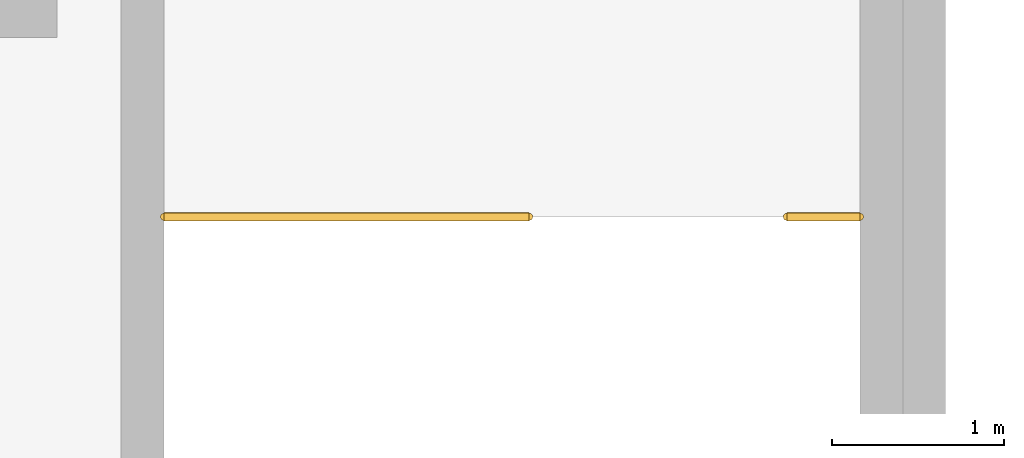
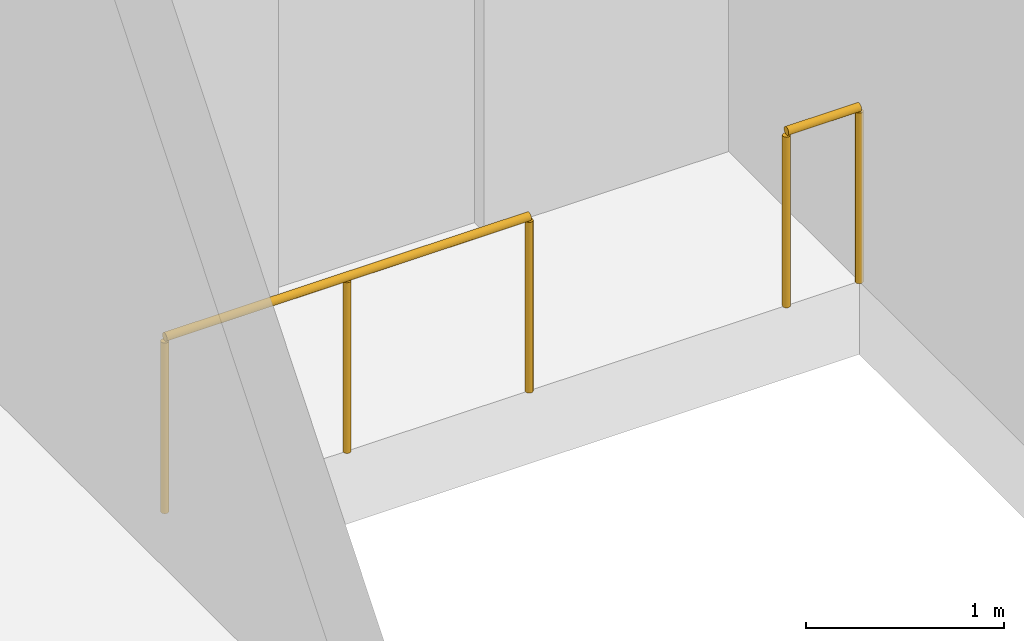
# One storey, part 41 of 45: 2 railings.
"""IFC4 building model written with IfcOpenShell, lengths in metres."""

from ifc_helpers import new_model, si_unit, direction, frame, origin, origin_2d, place, context, subcontext, project, spatial, circle, extrude, material, type_object, element, save


model = new_model("IFC4")

# Units and contexts
model_context = context("Model", 3, precision=1e-05, world=origin(), true_north=direction((0.0, 1.0)))
body_context = subcontext(model_context, "Body", "Model", "MODEL_VIEW")
ifc_project = project(units=[si_unit("LENGTHUNIT", "METRE"), si_unit("AREAUNIT", "SQUARE_METRE"), si_unit("VOLUMEUNIT", "CUBIC_METRE"), si_unit("PLANEANGLEUNIT", "RADIAN"), si_unit("MASSUNIT", "GRAM", prefix="KILO")], contexts=[model_context])

# Site, building, storey
site_placement = place(None, origin())
site = spatial("IfcSite", under=ifc_project, at=site_placement, CompositionType="ELEMENT")
building_placement = place(site_placement, origin())
building = spatial("IfcBuilding", under=site, at=building_placement, Name="Basin Gate Institute", CompositionType="ELEMENT")
storey_placement = place(building_placement, frame((0.0, 0.0, 22.199951171875)))
storey = spatial("IfcBuildingStorey", under=building, at=storey_placement, Name="L04", CompositionType="ELEMENT", Elevation=22.199951171875)

# Railings
ifc_material = material(Name="Stainless steel tube and glass infill", Category="steel")
railing_type = type_object("IfcRailingType", Name="Block railing 1100", PredefinedType="GUARDRAIL", material=ifc_material)
railing_1_placement = place(storey_placement, frame((134.52490234375, 75.85498046875, 0.0)))
element("IfcRailing", 1, at=railing_1_placement, inside=storey, type_object=railing_type, material=ifc_material, Name="Guard stairwell ST-C4 L04", PredefinedType="GUARDRAIL", context=body_context, shape_type="SweptSolid", body=[
    extrude(circle(Radius=0.02392578125, at=origin_2d()), frame((0.0, 0.0, 1.076171875), z_axis=(1.0, 0.0, 0.0), x_axis=(0.0, 1.0, 0.0)), (0.0, 0.0, 1.0), 2.125),
    extrude(circle(Radius=0.02099609375, at=origin_2d()), origin(), (0.0, 0.0, 1.0), 1.052001953125),
    extrude(circle(Radius=0.02099609375, at=origin_2d()), frame((1.0625, 0.0, 0.0)), (0.0, 0.0, 1.0), 1.052001953125),
    extrude(circle(Radius=0.02099609375, at=origin_2d()), frame((2.125, 0.0, 0.0)), (0.0, 0.0, 1.0), 1.052001953125),
])
railing_2_placement = place(storey_placement, frame((138.14990234375, 75.85498046875, 0.0)))
element("IfcRailing", 2, at=railing_2_placement, inside=storey, type_object=railing_type, material=ifc_material, Name="Guard stairwell ST-C4 L04 east", PredefinedType="GUARDRAIL", context=body_context, shape_type="SweptSolid", body=[
    extrude(circle(Radius=0.02392578125, at=origin_2d()), frame((0.0, 0.0, 1.076171875), z_axis=(1.0, 0.0, 0.0), x_axis=(0.0, 1.0, 0.0)), (0.0, 0.0, 1.0), 0.425048828125),
    extrude(circle(Radius=0.02099609375, at=origin_2d()), origin(), (0.0, 0.0, 1.0), 1.052001953125),
    extrude(circle(Radius=0.02099609375, at=origin_2d()), frame((0.425048828125, 0.0, 0.0)), (0.0, 0.0, 1.0), 1.052001953125),
])

save(model, "model.ifc")
